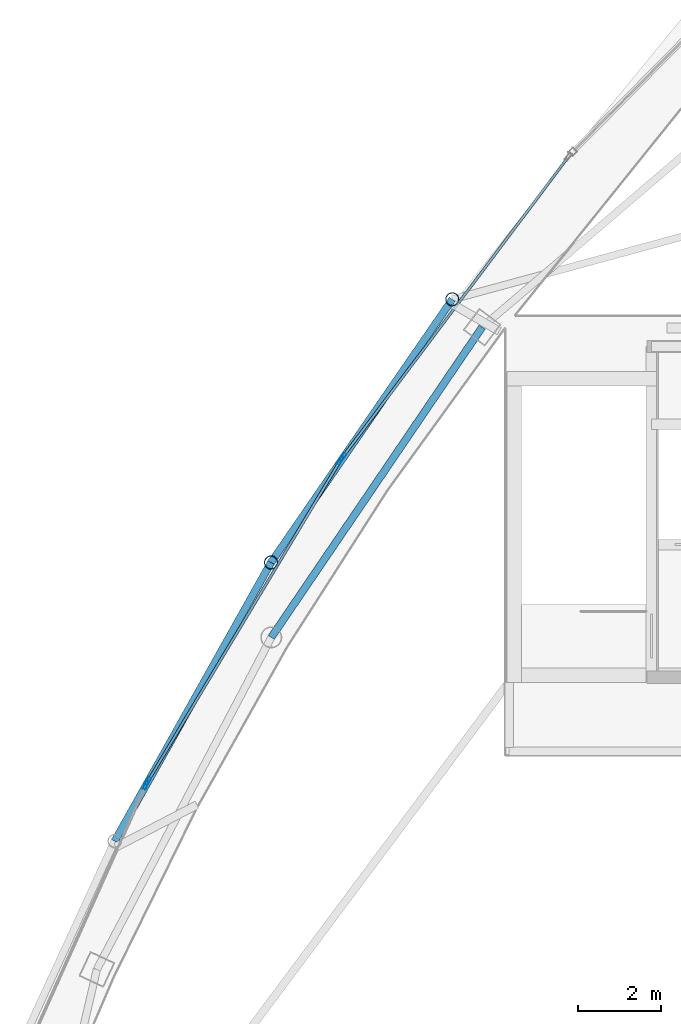
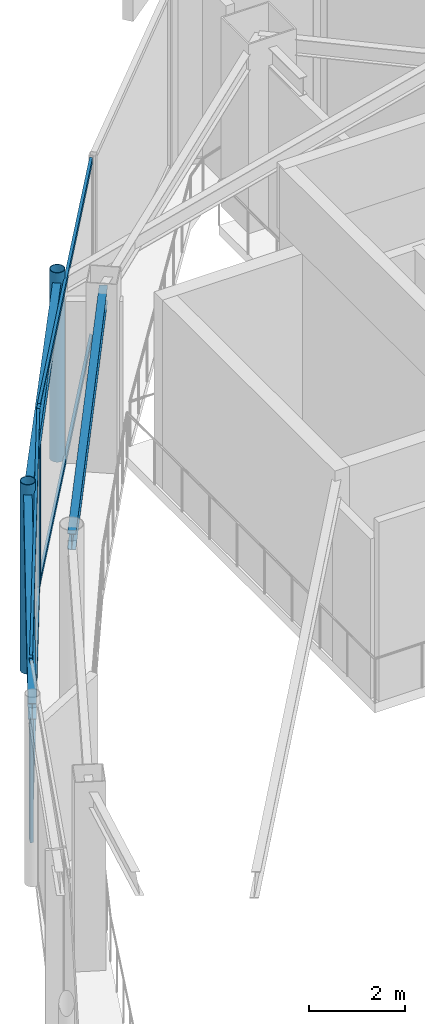
# One storey, part 8 of 18: 10 members, 3 beams, 3 elements without a shape of their own.
"""IFC4 building model written with IfcOpenShell, lengths in metres."""

from ifc_helpers import new_model, si_unit, direction, frame, origin, origin_2d, place, context, subcontext, project, spatial, hollow_rectangle, hollow_circle, i_section, extrude, material, layer, layer_set, material_profile, profile_set, type_object, element, aggregate, save


model = new_model("IFC4")

# Units and contexts
model_context = context("Model", 3, precision=1e-05, world=origin(), true_north=direction((0.0, 1.0)))
body_context = subcontext(model_context, "Body", "Model", "MODEL_VIEW")
ifc_project = project(units=[si_unit("LENGTHUNIT", "METRE"), si_unit("AREAUNIT", "SQUARE_METRE"), si_unit("VOLUMEUNIT", "CUBIC_METRE"), si_unit("PLANEANGLEUNIT", "RADIAN"), si_unit("MASSUNIT", "GRAM", prefix="KILO")], contexts=[model_context])

# Site, building, storey
site_placement = place(None, origin())
site = spatial("IfcSite", under=ifc_project, at=site_placement, CompositionType="ELEMENT")
building_placement = place(site_placement, origin())
building = spatial("IfcBuilding", under=site, at=building_placement, Name="Orvanel Arch Residences", CompositionType="ELEMENT")
storey_placement = place(building_placement, frame((0.0, 0.0, 310.10009765625)))
storey = spatial("IfcBuildingStorey", under=building, at=storey_placement, Name="L86", CompositionType="ELEMENT", Elevation=310.10009765625)

# Curtain wall, member
ifc_material_1 = material(Name="Bronze-anodised aluminium AA6063-T6", Category="aluminium")
ifc_layer = layer(ifc_material_1, 0.2099609375)
ifc_layer_set = layer_set([ifc_layer], Name="Bronze-anodised aluminium AA6063-T6")
curtain_wall_type = type_object("IfcCurtainWallType", Name="CW7-TOP-SYS", PredefinedType="NOTDEFINED", material=ifc_layer_set)
curtain_wall_1_placement = place(storey_placement, origin())
curtain_wall_1 = element("IfcCurtainWall", 1, at=curtain_wall_1_placement, inside=storey, type_object=curtain_wall_type, Name="L86 CW7-TOP-SYS Unitised Curtain Wall", PredefinedType="NOTDEFINED")
ifc_material_profile_1 = material_profile(ifc_material_1, hollow_rectangle(XDim=0.074951171875, YDim=0.199951171875, WallThickness=0.0048828125, at=origin_2d()), Name="ALU200x75x5")
ifc_profile_set_1 = profile_set([ifc_material_profile_1], Name="Bronze-anodised aluminium AA6063-T6")
member_type_1 = type_object("IfcMemberType", Name="MUL-200x75", PredefinedType="MULLION", material=ifc_profile_set_1)
member_1_placement = place(storey_placement, frame((22.29052734375, 31.988037109375, 0.0), z_axis=(0.0, 0.0, 1.0), x_axis=(0.799341985759, -0.600876351509, 0.0)))
member_1 = element("IfcMember", 2, at=member_1_placement, type_object=member_type_1, Name="CW-S7 mullion 2", PredefinedType="MULLION", context=body_context, shape_type="SweptSolid", body=[
    extrude(hollow_rectangle(XDim=0.074951171875, YDim=0.199951171875, WallThickness=0.0048828125, at=origin_2d()), origin(), (0.0, 0.0, 1.0), 4.539794921875),
])

# Curtain wall, members
curtain_wall_2_placement = place(storey_placement, origin())
curtain_wall_2 = element("IfcCurtainWall", 3, at=curtain_wall_2_placement, inside=storey, type_object=curtain_wall_type, Name="L86 CW7-TOP-SYS Unitised Curtain Wall", PredefinedType="NOTDEFINED")
member_2_placement = place(storey_placement, frame((22.226806640625, 31.892822265625, 0.0), z_axis=(0.0, 0.0, 1.0), x_axis=(0.857522096821, -0.514447133788, 0.0)))
member_2 = element("IfcMember", 4, at=member_2_placement, type_object=member_type_1, Name="CW-S7 mullion 1", PredefinedType="MULLION", context=body_context, shape_type="SweptSolid", body=[
    extrude(hollow_rectangle(XDim=0.074951171875, YDim=0.199951171875, WallThickness=0.0048828125, at=origin_2d()), origin(), (0.0, 0.0, 1.0), 4.539794921875),
])
member_3_placement = place(storey_placement, frame((17.597412109375, 24.17626953125, 0.0), z_axis=(0.0, 0.0, 1.0), x_axis=(0.857522096821, -0.514447133788, 0.0)))
member_3 = element("IfcMember", 5, at=member_3_placement, type_object=member_type_1, Name="CW-S7 mullion 2", PredefinedType="MULLION", context=body_context, shape_type="SweptSolid", body=[
    extrude(hollow_rectangle(XDim=0.074951171875, YDim=0.199951171875, WallThickness=0.0048828125, at=origin_2d()), origin(), (0.0, 0.0, 1.0), 4.539794921875),
])

# Curtain wall, member
curtain_wall_3_placement = place(storey_placement, origin())
curtain_wall_3 = element("IfcCurtainWall", 6, at=curtain_wall_3_placement, inside=storey, type_object=curtain_wall_type, Name="L86 CW7-TOP-SYS Unitised Curtain Wall", PredefinedType="NOTDEFINED")
member_4_placement = place(storey_placement, frame((17.544677734375, 24.07470703125, 0.0), z_axis=(0.0, 0.0, 1.0), x_axis=(0.912376147447, -0.40935286193, 0.0)))
member_4 = element("IfcMember", 7, at=member_4_placement, type_object=member_type_1, Name="CW-S7 mullion 1", PredefinedType="MULLION", context=body_context, shape_type="SweptSolid", body=[
    extrude(hollow_rectangle(XDim=0.074951171875, YDim=0.199951171875, WallThickness=0.0048828125, at=origin_2d()), origin(), (0.0, 0.0, 1.0), 4.539794921875),
])
aggregate(curtain_wall_3, [member_4])

# Beams
ifc_material_2 = material(Name="Structural steel AS/NZS 3679.1 Grade 300 (300 MPa)", Category="steel")
ifc_material_profile_2 = material_profile(ifc_material_2, i_section(OverallWidth=0.177978515625, OverallDepth=0.406005859375, WebThickness=0.0078125, FlangeThickness=0.0126953125, at=origin_2d()), Name="410UB59.7")
ifc_profile_set_2 = profile_set([ifc_material_profile_2], Name="Structural steel AS/NZS 3679.1 Grade 300 (300 MPa)")
beam_type_1 = type_object("IfcBeamType", Name="OB-410UB", PredefinedType="SPANDREL", material=ifc_profile_set_2)
beam_1_placement = place(storey_placement, frame((25.64794921875, 35.113037109375, 4.3369140625), z_axis=(-0.562154793153, -0.827032035978, 0.0), x_axis=(0.827032035978, -0.562154793153, 0.0)))
element("IfcBeam", 8, at=beam_1_placement, inside=storey, type_object=beam_type_1, Name="L86 Perimeter Spandrel Beam 11", PredefinedType="SPANDREL", context=body_context, shape_type="SweptSolid", body=[
    extrude(i_section(OverallWidth=0.177978515625, OverallDepth=0.406005859375, WebThickness=0.0078125, FlangeThickness=0.0126953125, at=origin_2d()), origin(), (0.0, 0.0, 1.0), 9.03466796875),
])
ifc_material_profile_3 = material_profile(ifc_material_2, i_section(OverallWidth=0.177978515625, OverallDepth=0.406005859375, WebThickness=0.0078125, FlangeThickness=0.0126953125, at=origin_2d()), Name="410UB59.7")
ifc_profile_set_3 = profile_set([ifc_material_profile_3], Name="Structural steel AS/NZS 3679.1 Grade 300 (300 MPa)")
beam_type_2 = type_object("IfcBeamType", Name="OB-410UB-EXT", PredefinedType="SPANDREL", material=ifc_profile_set_3)
beam_2_placement = place(storey_placement, frame((24.929931640625, 35.785888671875, 4.3369140625), z_axis=(-0.567346812798, -0.823478957842, 0.0), x_axis=(0.823478957842, -0.567346812798, 0.0)))
element("IfcBeam", 9, at=beam_2_placement, inside=storey, type_object=beam_type_2, Name="L86 Outer Perimeter Floor Ring Beam 01", PredefinedType="SPANDREL", context=body_context, shape_type="SweptSolid", body=[
    extrude(i_section(OverallWidth=0.177978515625, OverallDepth=0.406005859375, WebThickness=0.0078125, FlangeThickness=0.0126953125, at=origin_2d()), origin(), (0.0, 0.0, 1.0), 7.698974609375),
])
beam_3_placement = place(storey_placement, frame((20.56201171875, 29.446044921875, 4.3369140625), z_axis=(-0.489422203707, -0.872046963482, 0.0), x_axis=(0.872046963482, -0.489422203707, 0.0)))
element("IfcBeam", 10, at=beam_3_placement, inside=storey, type_object=beam_type_2, Name="L86 Outer Perimeter Floor Ring Beam 02", PredefinedType="SPANDREL", context=body_context, shape_type="SweptSolid", body=[
    extrude(i_section(OverallWidth=0.177978515625, OverallDepth=0.406005859375, WebThickness=0.0078125, FlangeThickness=0.0126953125, at=origin_2d()), origin(), (0.0, 0.0, 1.0), 7.697021484375),
])

# Members
ifc_material_3 = material(Name="Structural steel AS/NZS 1163 C350L0 (Grade 350)", Category="steel")
ifc_material_profile_4 = material_profile(ifc_material_3, hollow_circle(Radius=0.162109375, WallThickness=0.0126953125, at=origin_2d()), Name="CHS324x12.7")
ifc_profile_set_4 = profile_set([ifc_material_profile_4], Name="Structural steel AS/NZS 1163 C350L0 (Grade 350)")
member_type_2 = type_object("IfcMemberType", Name="ST-324CHS-EXT", PredefinedType="STRUT", material=ifc_profile_set_4)
for number, where, z_axis, x_axis, name in (
    (11, (24.929931640625, 35.785888671875, 0.0), (0.0, 0.0, 1.0), (1.0, 0.0, 0.0), "L86 Outer Perimeter Frame Post 01"),
    (12, (20.56201171875, 29.446044921875, 0.0), (0.0, 0.0, 1.0), (1.0, 0.0, 0.0), "L86 Outer Perimeter Frame Post 02"),
):
    element("IfcMember", number, at=place(storey_placement, frame(where, z_axis=z_axis, x_axis=x_axis)), inside=storey, type_object=member_type_2, Name=name, PredefinedType="STRUT", context=body_context, shape_type="SweptSolid", body=[
        extrude(hollow_circle(Radius=0.162109375, WallThickness=0.0126953125, at=origin_2d()), origin(), (0.0, 0.0, 1.0), 4.7998046875),
    ])

# Member
ifc_material_profile_5 = material_profile(ifc_material_1, hollow_rectangle(XDim=0.06494140625, YDim=0.14990234375, WallThickness=0.00390625, at=origin_2d()), Name="ALU150x65x4")
ifc_profile_set_5 = profile_set([ifc_material_profile_5], Name="Bronze-anodised aluminium AA6063-T6")
member_type_3 = type_object("IfcMemberType", Name="TRN-150x65", PredefinedType="USERDEFINED", material=ifc_profile_set_5)
member_5_placement = place(storey_placement, frame((27.7060546875, 39.192138671875, 0.032470703125), z_axis=(-0.600891851957, -0.799330333624, 0.0), x_axis=(0.799330333624, -0.600891851957, 0.0)))
member_5 = element("IfcMember", 13, at=member_5_placement, type_object=member_type_3, Name="CW-S7 transom 1.1", ObjectType="TRANSOM", PredefinedType="USERDEFINED", context=body_context, shape_type="SweptSolid", body=[
    extrude(hollow_rectangle(XDim=0.06494140625, YDim=0.14990234375, WallThickness=0.00390625, at=origin_2d()), origin(), (0.0, 0.0, 1.0), 8.97509765625),
])

member_6_placement = place(storey_placement, frame((27.7060546875, 39.192138671875, 4.50732421875), z_axis=(-0.600891851957, -0.799330333624, 0.0), x_axis=(0.799330333624, -0.600891851957, 0.0)))
member_6 = element("IfcMember", 14, at=member_6_placement, type_object=member_type_3, Name="CW-S7 transom 1.2", ObjectType="TRANSOM", PredefinedType="USERDEFINED", context=body_context, shape_type="SweptSolid", body=[
    extrude(hollow_rectangle(XDim=0.06494140625, YDim=0.14990234375, WallThickness=0.00390625, at=origin_2d()), origin(), (0.0, 0.0, 1.0), 8.97509765625),
])

aggregate(curtain_wall_1, [member_1, member_5, member_6])

member_7_placement = place(storey_placement, frame((22.20751953125, 31.860595703125, 0.032470703125), z_axis=(-0.514447475071, -0.857521892078, 0.0), x_axis=(0.857521892078, -0.514447475071, 0.0)))
member_7 = element("IfcMember", 15, at=member_7_placement, type_object=member_type_3, Name="CW-S7 transom 1.1", ObjectType="TRANSOM", PredefinedType="USERDEFINED", context=body_context, shape_type="SweptSolid", body=[
    extrude(hollow_rectangle(XDim=0.06494140625, YDim=0.14990234375, WallThickness=0.00390625, at=origin_2d()), origin(), (0.0, 0.0, 1.0), 8.923828125),
])

member_8_placement = place(storey_placement, frame((22.20751953125, 31.860595703125, 4.50732421875), z_axis=(-0.514447475071, -0.857521892078, 0.0), x_axis=(0.857521892078, -0.514447475071, 0.0)))
member_8 = element("IfcMember", 16, at=member_8_placement, type_object=member_type_3, Name="CW-S7 transom 1.2", ObjectType="TRANSOM", PredefinedType="USERDEFINED", context=body_context, shape_type="SweptSolid", body=[
    extrude(hollow_rectangle(XDim=0.06494140625, YDim=0.14990234375, WallThickness=0.00390625, at=origin_2d()), origin(), (0.0, 0.0, 1.0), 8.923828125),
])

aggregate(curtain_wall_2, [member_2, member_3, member_7, member_8])

save(model, "model.ifc")
